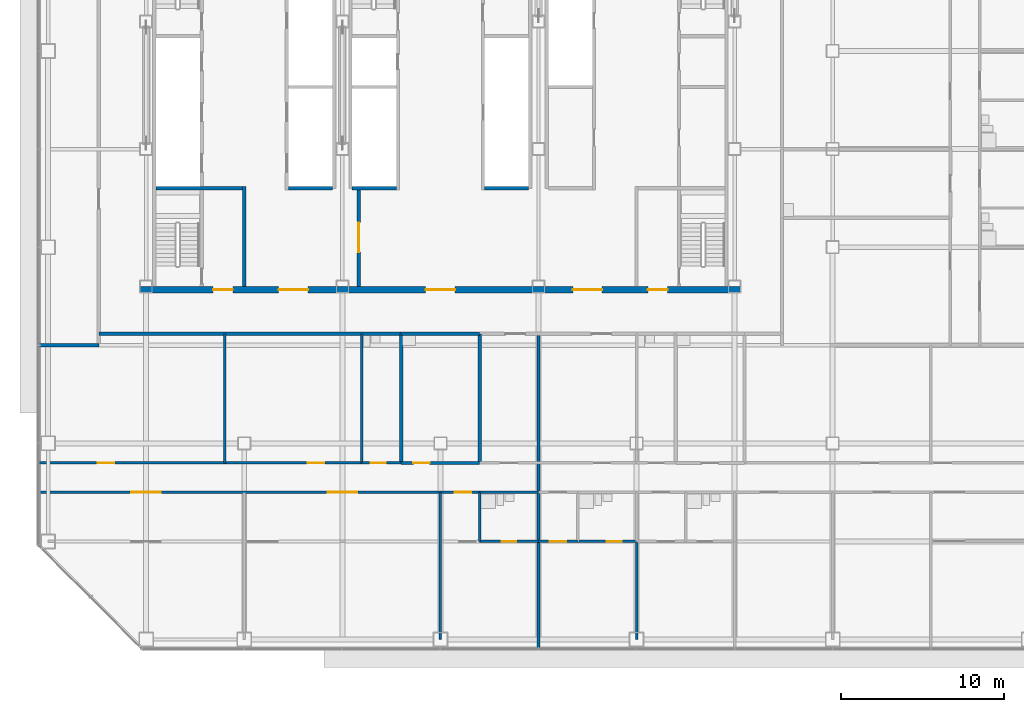
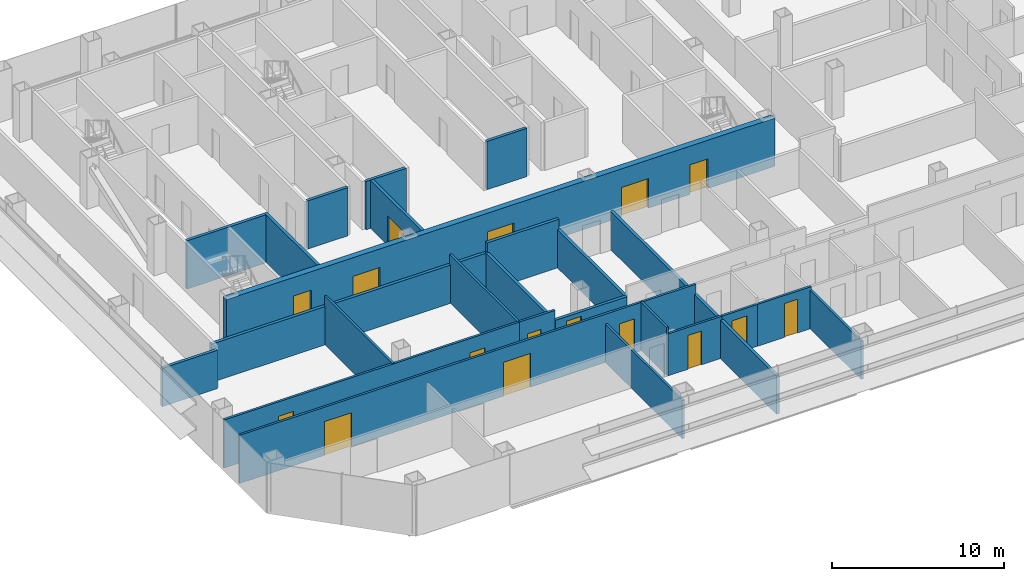
# One storey, part 20 of 26: 26 walls, 16 doors, 16 openings.
"""IFC4 building model written with IfcOpenShell, lengths in metres."""

import ifcopenshell
import ifcopenshell.guid

model = None  # the IFC model being written
_history = None  # IfcOwnerHistory: only IFC2X3 demands one
_inside = {}  # id of a spatial element -> (the spatial element, [elements in it])
_under = {}  # id of a project, library or spatial element -> (it, [spatial elements below it])
_declared = {}  # id of a project -> (the project, [libraries it declares])
_typed = {}  # id of a type object -> (the type object, [elements of that type])
_made_of = {}  # id of a material, layer set ... -> (it, [elements and type objects made of it])


def new_model(schema):
    """Start an empty IFC model of exactly this schema.

    Asked for "IFC4X3", IfcOpenShell would pick the latest addendum, in which some entities
    have other attributes; the version numbers below select the first issue.
    IFC2X3 requires an IfcOwnerHistory on every rooted entity: one is made here for all.
    """
    global model, _history
    if schema == "IFC4X3":
        model = ifcopenshell.file(schema_version=(4, 3, 0, 0))
    else:
        model = ifcopenshell.file(schema=schema)
    _inside.clear()
    _under.clear()
    _declared.clear()
    _typed.clear()
    _made_of.clear()
    _history = None
    if model.schema == "IFC2X3":
        org = make("IfcOrganization", Name="unknown")
        user = make(
            "IfcPersonAndOrganization",
            ThePerson=make("IfcPerson", FamilyName="unknown"),
            TheOrganization=org,
        )
        app = make(
            "IfcApplication",
            ApplicationDeveloper=org,
            Version="unknown",
            ApplicationFullName="unknown",
            ApplicationIdentifier="unknown",
        )
        _history = make(
            "IfcOwnerHistory",
            OwningUser=user,
            OwningApplication=app,
            ChangeAction="ADDED",
            CreationDate=0,
        )
    return model


def make(cls, **values):
    """One entity of the class cls with the attributes given. An attribute that is None is left unset."""
    return model.create_entity(
        cls, **{name: value for name, value in values.items() if value is not None}
    )


def rooted(cls, **values):
    """An entity with a GlobalId (a new one), such as an element, a storey or a relation."""
    return make(cls, GlobalId=ifcopenshell.guid.new(), OwnerHistory=_history, **values)


def si_unit(unit_type, name, prefix=None):
    """IfcSIUnit, for example si_unit("LENGTHUNIT", "METRE", prefix="MILLI")."""
    return make("IfcSIUnit", UnitType=unit_type, Prefix=prefix, Name=name)


def assignment(units):
    """IfcUnitAssignment: the units of a project."""
    return None if units is None else make("IfcUnitAssignment", Units=units)


def point(xyz):
    """IfcCartesianPoint."""
    return None if xyz is None else make("IfcCartesianPoint", Coordinates=xyz)


def direction(xyz):
    """IfcDirection."""
    return None if xyz is None else make("IfcDirection", DirectionRatios=xyz)


def frame(location, z_axis=None, x_axis=None):
    """IfcAxis2Placement3D, a coordinate frame: its origin and axes. An axis left out is left unset."""
    return make(
        "IfcAxis2Placement3D",
        Location=point(location),
        Axis=direction(z_axis),
        RefDirection=direction(x_axis),
    )


def frame_2d(location, x_axis=None):
    """IfcAxis2Placement2D, a coordinate frame in the plane: its origin and x axis."""
    return make(
        "IfcAxis2Placement2D", Location=point(location), RefDirection=direction(x_axis)
    )


def origin():
    """The frame at (0, 0, 0) with its axes left unset."""
    return frame((0.0, 0.0, 0.0))


def place(relative_to, where):
    """IfcLocalPlacement: puts the frame where relative to a parent placement (None: the world)."""
    return make(
        "IfcLocalPlacement", PlacementRelTo=relative_to, RelativePlacement=where
    )


def context(
    kind, dimensions, precision=None, world=None, true_north=None, identifier=None
):
    """IfcGeometricRepresentationContext, for example the 3D "Model" context."""
    return make(
        "IfcGeometricRepresentationContext",
        ContextIdentifier=identifier,
        ContextType=kind,
        CoordinateSpaceDimension=dimensions,
        Precision=precision,
        WorldCoordinateSystem=world,
        TrueNorth=true_north,
    )


def subcontext(parent, identifier, kind, view, scale=None):
    """IfcGeometricRepresentationSubContext, for example "Body" below "Model"."""
    return make(
        "IfcGeometricRepresentationSubContext",
        ContextIdentifier=identifier,
        ContextType=kind,
        ParentContext=parent,
        TargetScale=scale,
        TargetView=view,
    )


def project(units=None, contexts=None):
    """IfcProject with its units and contexts."""
    return rooted(
        "IfcProject",
        Name="project",
        RepresentationContexts=contexts,
        UnitsInContext=assignment(units),
    )


def spatial(cls, under=None, at=None, **own):
    """A site, building, storey or space (cls), placed at a placement, below another one or the project."""
    s = rooted(cls, ObjectPlacement=at, **own)
    if under is not None:
        _under.setdefault(under.id(), (under, []))[1].append(s)
    return s


def profile(cls, at=None, kind="AREA", **sizes):
    """A parametric profile (cls). Its sizes go by their IFC names, for example OverallWidth=200.0."""
    return make(cls, ProfileType=kind, Position=at, **sizes)


def rectangle(**sizes):
    """IfcRectangleProfileDef."""
    return profile("IfcRectangleProfileDef", **sizes)


def extrude(swept, where, along, depth):
    """IfcExtrudedAreaSolid: the profile swept, set in the frame where, extruded along a direction by depth."""
    return make(
        "IfcExtrudedAreaSolid",
        SweptArea=swept,
        Position=where,
        ExtrudedDirection=direction(along),
        Depth=depth,
    )


def shape(context_of_items, identifier, shape_type, items):
    """IfcShapeRepresentation: the items that make up one representation, for example the "Body"."""
    return make(
        "IfcShapeRepresentation",
        ContextOfItems=context_of_items,
        RepresentationIdentifier=identifier,
        RepresentationType=shape_type,
        Items=items,
    )


def material(Name=None, Category=None):
    """IfcMaterial."""
    return make("IfcMaterial", Name=Name, Category=Category)


def layer(
    of_material, thickness, ventilated=None, Name=None, Category=None, Priority=None
):
    """IfcMaterialLayer: one layer of a wall or slab, of a material (None: an air gap)."""
    return make(
        "IfcMaterialLayer",
        Material=of_material,
        LayerThickness=thickness,
        IsVentilated=ventilated,
        Name=Name,
        Category=Category,
        Priority=Priority,
    )


def layer_set(layers, Name=None):
    """IfcMaterialLayerSet."""
    return make("IfcMaterialLayerSet", MaterialLayers=layers, LayerSetName=Name)


def made_of(thing, what):
    """Note that an element or type object is made of a material, layer set ...; save() writes the relation."""
    if what is not None:
        _made_of.setdefault(what.id(), (what, []))[1].append(thing)
    return thing


def type_object(cls, material=None, **own):
    """A type object (cls), such as IfcWallType, which elements share."""
    return made_of(rooted(cls, **own), material)


def element(
    cls,
    number,
    at=None,
    inside=None,
    cuts=None,
    type_object=None,
    material=None,
    context=None,
    identifier="Body",
    shape_type=None,
    held_by="IfcProductDefinitionShape",
    body=None,
    shapes=None,
    **own,
):
    """One element of the class cls, such as IfcWall. Its Tag is "e" and its number.

    at: its placement. inside: the storey or other place that contains it. cuts: it is an
    opening in that element (IfcRelVoidsElement). A single representation is given by context,
    identifier, shape_type and body (its items); several are given by shapes. held_by: the class
    of the entity that holds the representations. save() writes the other relations.
    """
    e = rooted(cls, Tag="e%d" % number, ObjectPlacement=at, **own)
    if body is not None:
        shapes = [shape(context, identifier, shape_type, body)]
    if shapes is not None:
        e.Representation = make(held_by, Representations=shapes)
    if inside is not None:
        _inside.setdefault(inside.id(), (inside, []))[1].append(e)
    if cuts is not None:
        rooted(
            "IfcRelVoidsElement", RelatingBuildingElement=cuts, RelatedOpeningElement=e
        )
    if type_object is not None:
        _typed.setdefault(type_object.id(), (type_object, []))[1].append(e)
    return made_of(e, material)


def fill(opening, filler):
    """IfcRelFillsElement: the door or window that sits in an opening."""
    return rooted(
        "IfcRelFillsElement",
        RelatingOpeningElement=opening,
        RelatedBuildingElement=filler,
    )


def aggregate(whole, parts):
    """IfcRelAggregates: a whole, such as a stair, and the parts it consists of."""
    return rooted("IfcRelAggregates", RelatingObject=whole, RelatedObjects=parts)


def save(model, path):
    """Write the relations noted so far, then the file.

    IfcRelAggregates (storeys below a building ...), IfcRelContainedInSpatialStructure (elements
    in a storey), IfcRelDefinesByType, IfcRelAssociatesMaterial and IfcRelDeclares: one each for
    every whole, place, type object, material and project.
    """
    for whole, parts in _under.values():
        aggregate(whole, parts)
    for where, things in _inside.values():
        rooted(
            "IfcRelContainedInSpatialStructure",
            RelatedElements=things,
            RelatingStructure=where,
        )
    for kind, things in _typed.values():
        rooted("IfcRelDefinesByType", RelatedObjects=things, RelatingType=kind)
    for what, things in _made_of.values():
        rooted("IfcRelAssociatesMaterial", RelatedObjects=things, RelatingMaterial=what)
    for by, libraries in _declared.values():
        rooted("IfcRelDeclares", RelatingContext=by, RelatedDefinitions=libraries)
    model.write(path)


model = new_model("IFC4")

# Units and contexts
model_context = context("Model", 3, precision=1e-05, world=origin(), true_north=direction((0.0, 1.0)))
body_context = subcontext(model_context, "Body", "Model", "MODEL_VIEW")
ifc_project = project(units=[si_unit("LENGTHUNIT", "METRE"), si_unit("AREAUNIT", "SQUARE_METRE"), si_unit("VOLUMEUNIT", "CUBIC_METRE"), si_unit("PLANEANGLEUNIT", "RADIAN"), si_unit("MASSUNIT", "GRAM", prefix="KILO")], contexts=[model_context])

# Site, building, storey
site_placement = place(None, origin())
site = spatial("IfcSite", under=ifc_project, at=site_placement, CompositionType="ELEMENT")
building_placement = place(site_placement, origin())
building = spatial("IfcBuilding", under=site, at=building_placement, Name="Sorahane Residences", CompositionType="ELEMENT")
storey_placement = place(building_placement, frame((0.0, 0.0, 64.199951171875)))
storey = spatial("IfcBuildingStorey", under=building, at=storey_placement, Name="L12", CompositionType="ELEMENT", Elevation=64.199951171875)

# Walls
ifc_material_1 = material(Name="Concrete blockwork C20 wall", Category="masonry")
ifc_layer_1 = layer(ifc_material_1, 0.199951171875)
ifc_layer_set_1 = layer_set([ifc_layer_1], Name="Corridor wall 200 EI 120")
wall_type_1 = type_object("IfcWallType", Name="Corridor wall 200 EI 120", PredefinedType="SOLIDWALL", material=ifc_layer_set_1)
wall_1_placement = place(storey_placement, frame((-0.60009765625, 18.0, 0.0), z_axis=(0.0, 0.0, 1.0), x_axis=(1.0, 0.0, 0.0)))
element("IfcWall", 1, at=wall_1_placement, inside=storey, type_object=wall_type_1, Name="L12 corridor wall", PredefinedType="SOLIDWALL", context=body_context, shape_type="SweptSolid", body=[
    extrude(rectangle(XDim=3.7001953125, YDim=0.199951171875, at=frame_2d((1.85009765625, 0.0))), origin(), (0.0, 0.0, 1.0), 2.719970703125),
])
wall_2_placement = place(storey_placement, frame((3.10009765625, 18.699951171875, 0.0), z_axis=(0.0, 0.0, 1.0), x_axis=(1.0, 0.0, 0.0)))
element("IfcWall", 2, at=wall_2_placement, inside=storey, type_object=wall_type_1, Name="L12 corridor wall", PredefinedType="SOLIDWALL", context=body_context, shape_type="SweptSolid", body=[
    extrude(rectangle(XDim=18.5, YDim=0.199951171875, at=frame_2d((9.25, 0.0))), origin(), (0.0, 0.0, 1.0), 2.719970703125),
])
ifc_material_2 = material(Name="Concrete C30", Category="concrete")
ifc_layer_2 = layer(ifc_material_2, 0.199951171875)
ifc_layer_set_2 = layer_set([ifc_layer_2], Name="Front room wall 200 EI 120")
wall_type_2 = type_object("IfcWallType", Name="Front room wall 200 EI 120", PredefinedType="PARTITIONING", material=ifc_layer_set_2)
wall_3_placement = place(storey_placement, frame((12.0, 21.60009765625, 0.0), z_axis=(0.0, 0.0, 1.0), x_axis=(0.0, 1.0, 0.0)))
element("IfcWall", 3, at=wall_3_placement, inside=storey, type_object=wall_type_2, Name="L12 front room wall", PredefinedType="PARTITIONING", context=body_context, shape_type="SweptSolid", body=[
    extrude(rectangle(XDim=6.099853515625, YDim=0.199951171875, at=frame_2d((3.0498046875, 0.0))), origin(), (0.0, 0.0, 1.0), 3.420166015625),
])
ifc_material_3 = material(Name="Concrete blockwork C20 wall", Category="masonry")
ifc_layer_3 = layer(ifc_material_3, 0.199951171875)
ifc_layer_set_3 = layer_set([ifc_layer_3], Name="Kitchen wall 200 EI 180")
wall_type_3 = type_object("IfcWallType", Name="Kitchen wall 200 EI 180", PredefinedType="SOLIDWALL", material=ifc_layer_set_3)
for number, where, z_axis, x_axis, name in (
    (4, (21.60009765625, 10.800048828125, 0.0), (0.0, 0.0, 1.0), (0.0, 1.0, 0.0), "L12 kitchen wall"),
    (5, (26.39990234375, 10.800048828125, 0.0), (0.0, 0.0, 1.0), (0.0, 1.0, 0.0), "L12 kitchen wall"),
):
    element("IfcWall", number, at=place(storey_placement, frame(where, z_axis=z_axis, x_axis=x_axis)), inside=storey, type_object=wall_type_3, Name=name, PredefinedType="SOLIDWALL", context=body_context, shape_type="SweptSolid", body=[
        extrude(rectangle(XDim=7.89990234375, YDim=0.199951171875, at=frame_2d((3.949951171875, 0.0))), origin(), (0.0, 0.0, 1.0), 2.719970703125),
    ])

# Wall, opening, door
wall_4_placement = place(storey_placement, frame((21.60009765625, 10.800048828125, 0.0), z_axis=(0.0, 0.0, 1.0), x_axis=(1.0, 0.0, 0.0)))
wall_4 = element("IfcWall", 6, at=wall_4_placement, inside=storey, type_object=wall_type_3, Name="L12 kitchen wall", PredefinedType="SOLIDWALL", context=body_context, shape_type="SweptSolid", body=[
    extrude(rectangle(XDim=4.7998046875, YDim=0.199951171875, at=frame_2d((2.39990234375, 0.0))), origin(), (0.0, 0.0, 1.0), 2.719970703125),
])
opening_1_placement = place(wall_4_placement, frame((0.739990234375, 0.0, 0.0)))
opening_1 = element("IfcOpeningElement", 7, at=opening_1_placement, cuts=wall_4, Name="Opening L12-05", PredefinedType="OPENING", context=body_context, shape_type="SweptSolid", body=[
    extrude(rectangle(XDim=1.0, YDim=2.39990234375, at=frame_2d((0.5, 1.199951171875))), frame((0.0, 0.10986328125, 0.0), z_axis=(0.0, -1.0, 0.0), x_axis=(1.0, 0.0, 0.0)), (0.0, 0.0, 1.0), 0.219970703125),
])
ifc_material_4 = material(Name="Steel", Category="steel")
door_type_1 = type_object("IfcDoorType", Name="Kitchen door 1000x2400 FD120", OperationType="NOTDEFINED", PredefinedType="DOOR", material=ifc_material_4)
door_1_placement = place(opening_1_placement, origin())
door_1 = element("IfcDoor", 8, at=door_1_placement, inside=storey, type_object=door_type_1, Name="Kitchen door L12-05", OperationType="SINGLE_SWING_LEFT", OverallHeight=2.39990234375, OverallWidth=1.0, PredefinedType="DOOR", context=body_context, shape_type="SweptSolid", body=[
    extrude(rectangle(XDim=1.0, YDim=2.39990234375, at=frame_2d((0.5, 1.199951171875))), frame((0.0, 0.02490234375, 0.0), z_axis=(0.0, -1.0, 0.0), x_axis=(1.0, 0.0, 0.0)), (0.0, 0.0, 1.0), 0.050048828125),
])
fill(opening_1, door_1)

# Walls
wall_5_placement = place(storey_placement, frame((21.60009765625, 18.699951171875, 0.0), z_axis=(0.0, 0.0, 1.0), x_axis=(1.0, 0.0, 0.0)))
element("IfcWall", 9, at=wall_5_placement, inside=storey, type_object=wall_type_3, Name="L12 kitchen wall", PredefinedType="SOLIDWALL", context=body_context, shape_type="SweptSolid", body=[
    extrude(rectangle(XDim=4.7998046875, YDim=0.199951171875, at=frame_2d((2.39990234375, 0.0))), origin(), (0.0, 0.0, 1.0), 3.420166015625),
])
ifc_material_5 = material(Name="Concrete C30", Category="concrete")
ifc_layer_4 = layer(ifc_material_5, 0.199951171875)
ifc_layer_set_4 = layer_set([ifc_layer_4], Name="Lift shaft wall 200 EI 120")
wall_type_4 = type_object("IfcWallType", Name="Lift shaft wall 200 EI 120", PredefinedType="SOLIDWALL", material=ifc_layer_set_4)
for number, where, z_axis, x_axis, name in (
    (10, (14.699951171875, 27.60009765625, 0.0), (0.0, 0.0, 1.0), (1.0, 0.0, 0.0), "L12 lift shaft wall"),
    (11, (18.60009765625, 27.60009765625, 0.0), (0.0, 0.0, 1.0), (1.0, 0.0, 0.0), "L12 lift shaft wall"),
):
    element("IfcWall", number, at=place(storey_placement, frame(where, z_axis=z_axis, x_axis=x_axis)), inside=storey, type_object=wall_type_4, Name=name, PredefinedType="SOLIDWALL", context=body_context, shape_type="SweptSolid", body=[
        extrude(rectangle(XDim=2.699951171875, YDim=0.199951171875, at=frame_2d((1.35009765625, 0.0))), origin(), (0.0, 0.0, 1.0), 3.420166015625),
    ])
ifc_material_6 = material(Name="Gypsum board partition on steel studs", Category="steel")
ifc_layer_5 = layer(ifc_material_6, 0.14990234375)
ifc_layer_set_5 = layer_set([ifc_layer_5], Name="Partition 150 EI 90")
wall_type_5 = type_object("IfcWallType", Name="Partition 150 EI 90", PredefinedType="PARTITIONING", material=ifc_layer_set_5)
wall_6_placement = place(storey_placement, frame((10.800048828125, 10.800048828125, 0.0), z_axis=(0.0, 0.0, 1.0), x_axis=(0.0, 1.0, 0.0)))
element("IfcWall", 12, at=wall_6_placement, inside=storey, type_object=wall_type_5, Name="L12 partition", PredefinedType="PARTITIONING", context=body_context, shape_type="SweptSolid", body=[
    extrude(rectangle(XDim=7.89990234375, YDim=0.14990234375, at=frame_2d((3.949951171875, 0.0))), origin(), (0.0, 0.0, 1.0), 3.420166015625),
])
wall_7_placement = place(storey_placement, frame((24.0, 0.0, 0.0), z_axis=(0.0, 0.0, 1.0), x_axis=(0.0, 1.0, 0.0)))
element("IfcWall", 13, at=wall_7_placement, inside=storey, type_object=wall_type_5, Name="L12 partition", PredefinedType="PARTITIONING", context=body_context, shape_type="SweptSolid", body=[
    extrude(rectangle(XDim=9.0, YDim=0.14990234375, at=frame_2d((4.5, 0.0))), origin(), (0.0, 0.0, 1.0), 2.719970703125),
])
wall_8_placement = place(storey_placement, frame((36.0, 0.0, 0.0), z_axis=(0.0, 0.0, 1.0), x_axis=(0.0, 1.0, 0.0)))
element("IfcWall", 14, at=wall_8_placement, inside=storey, type_object=wall_type_5, Name="L12 partition", PredefinedType="PARTITIONING", context=body_context, shape_type="SweptSolid", body=[
    extrude(rectangle(XDim=6.0, YDim=0.14990234375, at=frame_2d((3.0, 0.0))), origin(), (0.0, 0.0, 1.0), 2.719970703125),
])

# Wall, openings, doors
wall_9_placement = place(storey_placement, frame((-0.60009765625, 10.800048828125, 0.0), z_axis=(0.0, 0.0, 1.0), x_axis=(1.0, 0.0, 0.0)))
wall_9 = element("IfcWall", 15, at=wall_9_placement, inside=storey, type_object=wall_type_5, Name="L12 partition", PredefinedType="PARTITIONING", context=body_context, shape_type="SweptSolid", body=[
    extrude(rectangle(XDim=19.800048828125, YDim=0.14990234375, at=frame_2d((9.89990234375, 0.0))), origin(), (0.0, 0.0, 1.0), 3.420166015625),
])
opening_2_placement = place(wall_9_placement, frame((3.639892578125, 0.0, 0.0)))
opening_2 = element("IfcOpeningElement", 16, at=opening_2_placement, cuts=wall_9, Name="Opening L12-02", PredefinedType="OPENING", context=body_context, shape_type="SweptSolid", body=[
    extrude(rectangle(XDim=1.0, YDim=2.39990234375, at=frame_2d((0.5, 1.199951171875))), frame((0.0, 0.0849609375, 0.0), z_axis=(0.0, -1.0, 0.0), x_axis=(1.0, 0.0, 0.0)), (0.0, 0.0, 1.0), 0.169921875),
])
opening_3_placement = place(wall_9_placement, frame((16.47998046875, 0.0, 0.0)))
opening_3 = element("IfcOpeningElement", 17, at=opening_3_placement, cuts=wall_9, Name="Opening L12-03", PredefinedType="OPENING", context=body_context, shape_type="SweptSolid", body=[
    extrude(rectangle(XDim=1.0, YDim=2.39990234375, at=frame_2d((0.5, 1.199951171875))), frame((0.0, 0.0849609375, 0.0), z_axis=(0.0, -1.0, 0.0), x_axis=(1.0, 0.0, 0.0)), (0.0, 0.0, 1.0), 0.169921875),
])
ifc_material_7 = material(Name="Timber veneered fire door", Category="wood")
door_type_2 = type_object("IfcDoorType", Name="Room door 1000x2400 FD30", OperationType="NOTDEFINED", PredefinedType="DOOR", material=ifc_material_7)
door_2_placement = place(opening_2_placement, origin())
door_2 = element("IfcDoor", 18, at=door_2_placement, inside=storey, type_object=door_type_2, Name="Room door L12-02", OperationType="SINGLE_SWING_LEFT", OverallHeight=2.39990234375, OverallWidth=1.0, PredefinedType="DOOR", context=body_context, shape_type="SweptSolid", body=[
    extrude(rectangle(XDim=1.0, YDim=2.39990234375, at=frame_2d((0.5, 1.199951171875))), frame((0.0, 0.02490234375, 0.0), z_axis=(0.0, -1.0, 0.0), x_axis=(1.0, 0.0, 0.0)), (0.0, 0.0, 1.0), 0.050048828125),
])
fill(opening_2, door_2)
door_3_placement = place(opening_3_placement, origin())
door_3 = element("IfcDoor", 19, at=door_3_placement, inside=storey, type_object=door_type_2, Name="Room door L12-03", OperationType="SINGLE_SWING_RIGHT", OverallHeight=2.39990234375, OverallWidth=1.0, PredefinedType="DOOR", context=body_context, shape_type="SweptSolid", body=[
    extrude(rectangle(XDim=1.0, YDim=2.39990234375, at=frame_2d((0.5, 1.199951171875))), frame((0.0, 0.02490234375, 0.0), z_axis=(0.0, -1.0, 0.0), x_axis=(1.0, 0.0, 0.0)), (0.0, 0.0, 1.0), 0.050048828125),
])
fill(opening_3, door_3)

# Wall, opening, door
wall_10_placement = place(storey_placement, frame((30.0, 6.0, 0.0), z_axis=(0.0, 0.0, 1.0), x_axis=(1.0, 0.0, 0.0)))
wall_10 = element("IfcWall", 20, at=wall_10_placement, inside=storey, type_object=wall_type_5, Name="L12 partition", PredefinedType="PARTITIONING", context=body_context, shape_type="SweptSolid", body=[
    extrude(rectangle(XDim=2.39990234375, YDim=0.14990234375, at=frame_2d((1.199951171875, 0.0))), origin(), (0.0, 0.0, 1.0), 2.969970703125),
])
opening_4_placement = place(wall_10_placement, frame((0.699951171875, 0.0, 0.0)))
opening_4 = element("IfcOpeningElement", 21, at=opening_4_placement, cuts=wall_10, Name="Opening L12-23", PredefinedType="OPENING", context=body_context, shape_type="SweptSolid", body=[
    extrude(rectangle(XDim=1.0, YDim=2.39990234375, at=frame_2d((0.5, 1.199951171875))), frame((0.0, 0.0849609375, 0.0), z_axis=(0.0, -1.0, 0.0), x_axis=(1.0, 0.0, 0.0)), (0.0, 0.0, 1.0), 0.169921875),
])
door_4_placement = place(opening_4_placement, frame((1.0, 0.0, 0.0), z_axis=(0.0, 0.0, 1.0), x_axis=(-1.0, 0.0, 0.0)))
door_4 = element("IfcDoor", 22, at=door_4_placement, inside=storey, type_object=door_type_2, Name="Room door L12-23", OperationType="SINGLE_SWING_RIGHT", OverallHeight=2.39990234375, OverallWidth=1.0, PredefinedType="DOOR", context=body_context, shape_type="SweptSolid", body=[
    extrude(rectangle(XDim=1.0, YDim=2.39990234375, at=frame_2d((0.5, 1.199951171875))), frame((0.0, 0.02490234375, 0.0), z_axis=(0.0, -1.0, 0.0), x_axis=(1.0, 0.0, 0.0)), (0.0, 0.0, 1.0), 0.050048828125),
])
fill(opening_4, door_4)

# Wall, openings, doors
wall_11_placement = place(storey_placement, frame((-0.60009765625, 9.0, 0.0), z_axis=(0.0, 0.0, 1.0), x_axis=(1.0, 0.0, 0.0)))
wall_11 = element("IfcWall", 23, at=wall_11_placement, inside=storey, type_object=wall_type_5, Name="L12 partition", PredefinedType="PARTITIONING", context=body_context, shape_type="SweptSolid", body=[
    extrude(rectangle(XDim=27.0, YDim=0.14990234375, at=frame_2d((13.5, 0.0))), origin(), (0.0, 0.0, 1.0), 3.420166015625),
])
opening_5_placement = place(wall_11_placement, frame((5.699951171875, 0.0, 0.0)))
opening_5 = element("IfcOpeningElement", 24, at=opening_5_placement, cuts=wall_11, Name="Opening L12-06", PredefinedType="OPENING", context=body_context, shape_type="SweptSolid", body=[
    extrude(rectangle(XDim=1.800048828125, YDim=2.39990234375, at=frame_2d((0.89990234375, 1.199951171875))), frame((0.0, 0.0849609375, 0.0), z_axis=(0.0, -1.0, 0.0), x_axis=(1.0, 0.0, 0.0)), (0.0, 0.0, 1.0), 0.169921875),
])
opening_6_placement = place(wall_11_placement, frame((17.699951171875, 0.0, 0.0)))
opening_6 = element("IfcOpeningElement", 25, at=opening_6_placement, cuts=wall_11, Name="Opening L12-07", PredefinedType="OPENING", context=body_context, shape_type="SweptSolid", body=[
    extrude(rectangle(XDim=1.800048828125, YDim=2.39990234375, at=frame_2d((0.89990234375, 1.199951171875))), frame((0.0, 0.0849609375, 0.0), z_axis=(0.0, -1.0, 0.0), x_axis=(1.0, 0.0, 0.0)), (0.0, 0.0, 1.0), 0.169921875),
])
opening_7_placement = place(wall_11_placement, frame((25.47998046875, 0.0, 0.0)))
opening_7 = element("IfcOpeningElement", 26, at=opening_7_placement, cuts=wall_11, Name="Opening L12-08", PredefinedType="OPENING", context=body_context, shape_type="SweptSolid", body=[
    extrude(rectangle(XDim=1.0, YDim=2.39990234375, at=frame_2d((0.5, 1.199951171875))), frame((0.0, 0.0849609375, 0.0), z_axis=(0.0, -1.0, 0.0), x_axis=(1.0, 0.0, 0.0)), (0.0, 0.0, 1.0), 0.169921875),
])
ifc_material_8 = material(Name="Timber veneered fire door", Category="wood")
door_type_3 = type_object("IfcDoorType", Name="Double door 1800x2400 FD30", OperationType="NOTDEFINED", PredefinedType="DOOR", material=ifc_material_8)
door_5_placement = place(opening_5_placement, frame((1.800048828125, 0.0, 0.0), z_axis=(0.0, 0.0, 1.0), x_axis=(-1.0, 0.0, 0.0)))
door_5 = element("IfcDoor", 27, at=door_5_placement, inside=storey, type_object=door_type_3, Name="Double door L12-06", OperationType="SINGLE_SWING_LEFT", OverallHeight=2.39990234375, OverallWidth=1.800048828125, PredefinedType="DOOR", context=body_context, shape_type="SweptSolid", body=[
    extrude(rectangle(XDim=1.800048828125, YDim=2.39990234375, at=frame_2d((0.89990234375, 1.199951171875))), frame((0.0, 0.02490234375, 0.0), z_axis=(0.0, -1.0, 0.0), x_axis=(1.0, 0.0, 0.0)), (0.0, 0.0, 1.0), 0.050048828125),
])
fill(opening_5, door_5)
door_6_placement = place(opening_6_placement, frame((1.800048828125, 0.0, 0.0), z_axis=(0.0, 0.0, 1.0), x_axis=(-1.0, 0.0, 0.0)))
door_6 = element("IfcDoor", 28, at=door_6_placement, inside=storey, type_object=door_type_3, Name="Double door L12-07", OperationType="SINGLE_SWING_LEFT", OverallHeight=2.39990234375, OverallWidth=1.800048828125, PredefinedType="DOOR", context=body_context, shape_type="SweptSolid", body=[
    extrude(rectangle(XDim=1.800048828125, YDim=2.39990234375, at=frame_2d((0.89990234375, 1.199951171875))), frame((0.0, 0.02490234375, 0.0), z_axis=(0.0, -1.0, 0.0), x_axis=(1.0, 0.0, 0.0)), (0.0, 0.0, 1.0), 0.050048828125),
])
fill(opening_6, door_6)
door_7_placement = place(opening_7_placement, frame((1.0, 0.0, 0.0), z_axis=(0.0, 0.0, 1.0), x_axis=(-1.0, 0.0, 0.0)))
door_7 = element("IfcDoor", 29, at=door_7_placement, inside=storey, type_object=door_type_2, Name="Room door L12-08", OperationType="SINGLE_SWING_LEFT", OverallHeight=2.39990234375, OverallWidth=1.0, PredefinedType="DOOR", context=body_context, shape_type="SweptSolid", body=[
    extrude(rectangle(XDim=1.0, YDim=2.39990234375, at=frame_2d((0.5, 1.199951171875))), frame((0.0, 0.02490234375, 0.0), z_axis=(0.0, -1.0, 0.0), x_axis=(1.0, 0.0, 0.0)), (0.0, 0.0, 1.0), 0.050048828125),
])
fill(opening_7, door_7)

# Walls
ifc_material_9 = material(Name="Concrete blockwork C20 wall", Category="masonry")
ifc_layer_6 = layer(ifc_material_9, 0.199951171875)
ifc_layer_set_6 = layer_set([ifc_layer_6], Name="Party wall 200 EI 120")
wall_type_6 = type_object("IfcWallType", Name="Party wall 200 EI 120", PredefinedType="SOLIDWALL", material=ifc_layer_set_6)
wall_12_placement = place(storey_placement, frame((30.0, -0.60009765625, 0.0), z_axis=(0.0, 0.0, 1.0), x_axis=(0.0, 1.0, 0.0)))
element("IfcWall", 30, at=wall_12_placement, inside=storey, type_object=wall_type_6, Name="L12 party wall", PredefinedType="SOLIDWALL", context=body_context, shape_type="SweptSolid", body=[
    extrude(rectangle(XDim=19.300048828125, YDim=0.199951171875, at=frame_2d((9.64990234375, 0.0))), origin(), (0.0, 0.0, 1.0), 2.719970703125),
])
ifc_material_10 = material(Name="Concrete C30", Category="concrete")
ifc_layer_7 = layer(ifc_material_10, 0.199951171875)
ifc_layer_set_7 = layer_set([ifc_layer_7], Name="Riser shaft wall 200 EI 120")
wall_type_7 = type_object("IfcWallType", Name="Riser shaft wall 200 EI 120", PredefinedType="SOLIDWALL", material=ifc_layer_set_7)
wall_13_placement = place(storey_placement, frame((26.699951171875, 27.60009765625, 0.0), z_axis=(0.0, 0.0, 1.0), x_axis=(1.0, 0.0, 0.0)))
element("IfcWall", 31, at=wall_13_placement, inside=storey, type_object=wall_type_7, Name="L12 riser wall", PredefinedType="SOLIDWALL", context=body_context, shape_type="SweptSolid", body=[
    extrude(rectangle(XDim=2.699951171875, YDim=0.199951171875, at=frame_2d((1.35009765625, 0.0))), origin(), (0.0, 0.0, 1.0), 3.420166015625),
])

# Wall, opening, door
ifc_material_11 = material(Name="Concrete C30", Category="concrete")
ifc_layer_8 = layer(ifc_material_11, 0.199951171875)
ifc_layer_set_8 = layer_set([ifc_layer_8], Name="Service room partition 200 EI 60")
wall_type_8 = type_object("IfcWallType", Name="Service room partition 200 EI 60", PredefinedType="PARTITIONING", material=ifc_layer_set_8)
wall_14_placement = place(storey_placement, frame((19.0, 21.60009765625, 0.0), z_axis=(0.0, 0.0, 1.0), x_axis=(0.0, 1.0, 0.0)))
wall_14 = element("IfcWall", 32, at=wall_14_placement, inside=storey, type_object=wall_type_8, Name="L12 service room wall", PredefinedType="PARTITIONING", context=body_context, shape_type="SweptSolid", body=[
    extrude(rectangle(XDim=6.0, YDim=0.199951171875, at=frame_2d((3.0, 0.0))), origin(), (0.0, 0.0, 1.0), 3.420166015625),
])
opening_8_placement = place(wall_14_placement, frame((2.10009765625, 0.0, 0.0)))
opening_8 = element("IfcOpeningElement", 33, at=opening_8_placement, cuts=wall_14, Name="Opening L12-C02", PredefinedType="OPENING", context=body_context, shape_type="SweptSolid", body=[
    extrude(rectangle(XDim=1.800048828125, YDim=2.10009765625, at=frame_2d((0.89990234375, 1.050048828125))), frame((0.0, 0.10986328125, 0.0), z_axis=(0.0, -1.0, 0.0), x_axis=(1.0, 0.0, 0.0)), (0.0, 0.0, 1.0), 0.219970703125),
])
ifc_material_12 = material(Name="Steel", Category="steel")
door_type_4 = type_object("IfcDoorType", Name="Waiting hall door 1800x2100 FD60", OperationType="NOTDEFINED", PredefinedType="DOOR", material=ifc_material_12)
door_8_placement = place(opening_8_placement, origin())
door_8 = element("IfcDoor", 34, at=door_8_placement, inside=storey, type_object=door_type_4, Name="Waiting hall door Residents' waiting hall west L12", OperationType="SINGLE_SWING_LEFT", OverallHeight=2.10009765625, OverallWidth=1.800048828125, PredefinedType="DOOR", context=body_context, shape_type="SweptSolid", body=[
    extrude(rectangle(XDim=1.800048828125, YDim=2.10009765625, at=frame_2d((0.89990234375, 1.050048828125))), frame((0.0, 0.02490234375, 0.0), z_axis=(0.0, -1.0, 0.0), x_axis=(1.0, 0.0, 0.0)), (0.0, 0.0, 1.0), 0.050048828125),
])
fill(opening_8, door_8)

# Wall
ifc_material_13 = material(Name="Concrete C30", Category="concrete")
ifc_layer_9 = layer(ifc_material_13, 0.199951171875)
ifc_layer_set_9 = layer_set([ifc_layer_9], Name="Stair enclosure wall 200 EI 120")
wall_type_9 = type_object("IfcWallType", Name="Stair enclosure wall 200 EI 120", PredefinedType="SOLIDWALL", material=ifc_layer_set_9)
wall_15_placement = place(storey_placement, frame((6.60009765625, 27.60009765625, 0.0), z_axis=(0.0, 0.0, 1.0), x_axis=(1.0, 0.0, 0.0)))
element("IfcWall", 35, at=wall_15_placement, inside=storey, type_object=wall_type_9, Name="L12 stair enclosure wall", PredefinedType="SOLIDWALL", context=body_context, shape_type="SweptSolid", body=[
    extrude(rectangle(XDim=5.2998046875, YDim=0.199951171875, at=frame_2d((2.64990234375, 0.0))), origin(), (0.0, 0.0, 1.0), 3.420166015625),
])

# Wall, openings, doors
ifc_material_14 = material(Name="Concrete C30", Category="concrete")
ifc_layer_10 = layer(ifc_material_14, 0.39990234375)
ifc_layer_set_10 = layer_set([ifc_layer_10], Name="Waiting hall wall 400 EI 120")
wall_type_10 = type_object("IfcWallType", Name="Waiting hall wall 400 EI 120", PredefinedType="SOLIDWALL", material=ifc_layer_set_10)
wall_16_placement = place(storey_placement, frame((5.60009765625, 21.39990234375, 0.0), z_axis=(0.0, 0.0, 1.0), x_axis=(1.0, 0.0, 0.0)))
wall_16 = element("IfcWall", 36, at=wall_16_placement, inside=storey, type_object=wall_type_10, Name="L12 waiting hall wall", PredefinedType="SOLIDWALL", context=body_context, shape_type="SweptSolid", body=[
    extrude(rectangle(XDim=36.7998046875, YDim=0.39990234375, at=frame_2d((18.39990234375, 0.0))), origin(), (0.0, 0.0, 1.0), 3.420166015625),
])
opening_9_placement = place(wall_16_placement, frame((8.5, 0.0, 0.0)))
opening_9 = element("IfcOpeningElement", 37, at=opening_9_placement, cuts=wall_16, Name="Opening L12-C01", PredefinedType="OPENING", context=body_context, shape_type="SweptSolid", body=[
    extrude(rectangle(XDim=1.800048828125, YDim=2.10009765625, at=frame_2d((0.89990234375, 1.050048828125))), frame((0.0, 0.2099609375, 0.0), z_axis=(0.0, -1.0, 0.0), x_axis=(1.0, 0.0, 0.0)), (0.0, 0.0, 1.0), 0.419921875),
])
opening_10_placement = place(wall_16_placement, frame((17.5, 0.0, 0.0)))
opening_10 = element("IfcOpeningElement", 38, at=opening_10_placement, cuts=wall_16, Name="Opening L12-C03", PredefinedType="OPENING", context=body_context, shape_type="SweptSolid", body=[
    extrude(rectangle(XDim=1.800048828125, YDim=2.10009765625, at=frame_2d((0.89990234375, 1.050048828125))), frame((0.0, 0.2099609375, 0.0), z_axis=(0.0, -1.0, 0.0), x_axis=(1.0, 0.0, 0.0)), (0.0, 0.0, 1.0), 0.419921875),
])
opening_11_placement = place(wall_16_placement, frame((26.5, 0.0, 0.0)))
opening_11 = element("IfcOpeningElement", 39, at=opening_11_placement, cuts=wall_16, Name="Opening L12-C04", PredefinedType="OPENING", context=body_context, shape_type="SweptSolid", body=[
    extrude(rectangle(XDim=1.800048828125, YDim=2.10009765625, at=frame_2d((0.89990234375, 1.050048828125))), frame((0.0, 0.2099609375, 0.0), z_axis=(0.0, -1.0, 0.0), x_axis=(1.0, 0.0, 0.0)), (0.0, 0.0, 1.0), 0.419921875),
])
opening_12_placement = place(wall_16_placement, frame((4.5, 0.0, 0.0)))
opening_12 = element("IfcOpeningElement", 40, at=opening_12_placement, cuts=wall_16, Name="Opening L12-C05", PredefinedType="OPENING", context=body_context, shape_type="SweptSolid", body=[
    extrude(rectangle(XDim=1.199951171875, YDim=2.10009765625, at=frame_2d((0.60009765625, 1.050048828125))), frame((0.0, 0.2099609375, 0.0), z_axis=(0.0, -1.0, 0.0), x_axis=(1.0, 0.0, 0.0)), (0.0, 0.0, 1.0), 0.419921875),
])
opening_13_placement = place(wall_16_placement, frame((31.10009765625, 0.0, 0.0)))
opening_13 = element("IfcOpeningElement", 41, at=opening_13_placement, cuts=wall_16, Name="Opening L12-C06", PredefinedType="OPENING", context=body_context, shape_type="SweptSolid", body=[
    extrude(rectangle(XDim=1.199951171875, YDim=2.10009765625, at=frame_2d((0.60009765625, 1.050048828125))), frame((0.0, 0.2099609375, 0.0), z_axis=(0.0, -1.0, 0.0), x_axis=(1.0, 0.0, 0.0)), (0.0, 0.0, 1.0), 0.419921875),
])
ifc_material_15 = material(Name="Steel", Category="steel")
door_type_5 = type_object("IfcDoorType", Name="Stair front room door 1200x2100 FD120", OperationType="NOTDEFINED", PredefinedType="DOOR", material=ifc_material_15)
door_9_placement = place(opening_12_placement, frame((1.199951171875, 0.0, 0.0), z_axis=(0.0, 0.0, 1.0), x_axis=(-1.0, 0.0, 0.0)))
door_9 = element("IfcDoor", 42, at=door_9_placement, inside=storey, type_object=door_type_5, Name="Stair front room door Stair S4 front room L12", OperationType="SINGLE_SWING_LEFT", OverallHeight=2.10009765625, OverallWidth=1.199951171875, PredefinedType="DOOR", context=body_context, shape_type="SweptSolid", body=[
    extrude(rectangle(XDim=1.199951171875, YDim=2.10009765625, at=frame_2d((0.60009765625, 1.050048828125))), frame((0.0, 0.02490234375, 0.0), z_axis=(0.0, -1.0, 0.0), x_axis=(1.0, 0.0, 0.0)), (0.0, 0.0, 1.0), 0.050048828125),
])
fill(opening_12, door_9)
door_10_placement = place(opening_13_placement, frame((1.199951171875, 0.0, 0.0), z_axis=(0.0, 0.0, 1.0), x_axis=(-1.0, 0.0, 0.0)))
door_10 = element("IfcDoor", 43, at=door_10_placement, inside=storey, type_object=door_type_5, Name="Stair front room door Stair S5 front room L12", OperationType="SINGLE_SWING_LEFT", OverallHeight=2.10009765625, OverallWidth=1.199951171875, PredefinedType="DOOR", context=body_context, shape_type="SweptSolid", body=[
    extrude(rectangle(XDim=1.199951171875, YDim=2.10009765625, at=frame_2d((0.60009765625, 1.050048828125))), frame((0.0, 0.02490234375, 0.0), z_axis=(0.0, -1.0, 0.0), x_axis=(1.0, 0.0, 0.0)), (0.0, 0.0, 1.0), 0.050048828125),
])
fill(opening_13, door_10)
door_11_placement = place(opening_9_placement, frame((1.800048828125, 0.0, 0.0), z_axis=(0.0, 0.0, 1.0), x_axis=(-1.0, 0.0, 0.0)))
door_11 = element("IfcDoor", 44, at=door_11_placement, inside=storey, type_object=door_type_4, Name="Waiting hall door Residents' waiting hall west L12", OperationType="SINGLE_SWING_LEFT", OverallHeight=2.10009765625, OverallWidth=1.800048828125, PredefinedType="DOOR", context=body_context, shape_type="SweptSolid", body=[
    extrude(rectangle(XDim=1.800048828125, YDim=2.10009765625, at=frame_2d((0.89990234375, 1.050048828125))), frame((0.0, 0.02490234375, 0.0), z_axis=(0.0, -1.0, 0.0), x_axis=(1.0, 0.0, 0.0)), (0.0, 0.0, 1.0), 0.050048828125),
])
fill(opening_9, door_11)
door_12_placement = place(opening_10_placement, frame((1.800048828125, 0.0, 0.0), z_axis=(0.0, 0.0, 1.0), x_axis=(-1.0, 0.0, 0.0)))
door_12 = element("IfcDoor", 45, at=door_12_placement, inside=storey, type_object=door_type_4, Name="Waiting hall door Residents' waiting hall east L12", OperationType="SINGLE_SWING_LEFT", OverallHeight=2.10009765625, OverallWidth=1.800048828125, PredefinedType="DOOR", context=body_context, shape_type="SweptSolid", body=[
    extrude(rectangle(XDim=1.800048828125, YDim=2.10009765625, at=frame_2d((0.89990234375, 1.050048828125))), frame((0.0, 0.02490234375, 0.0), z_axis=(0.0, -1.0, 0.0), x_axis=(1.0, 0.0, 0.0)), (0.0, 0.0, 1.0), 0.050048828125),
])
fill(opening_10, door_12)
door_13_placement = place(opening_11_placement, frame((1.800048828125, 0.0, 0.0), z_axis=(0.0, 0.0, 1.0), x_axis=(-1.0, 0.0, 0.0)))
door_13 = element("IfcDoor", 46, at=door_13_placement, inside=storey, type_object=door_type_4, Name="Waiting hall door Residents' waiting hall east L12", OperationType="SINGLE_SWING_LEFT", OverallHeight=2.10009765625, OverallWidth=1.800048828125, PredefinedType="DOOR", context=body_context, shape_type="SweptSolid", body=[
    extrude(rectangle(XDim=1.800048828125, YDim=2.10009765625, at=frame_2d((0.89990234375, 1.050048828125))), frame((0.0, 0.02490234375, 0.0), z_axis=(0.0, -1.0, 0.0), x_axis=(1.0, 0.0, 0.0)), (0.0, 0.0, 1.0), 0.050048828125),
])
fill(opening_11, door_13)

# Walls
ifc_material_16 = material(Name="Gypsum board partition on steel studs", Category="steel")
ifc_layer_11 = layer(ifc_material_16, 0.14990234375)
ifc_layer_set_11 = layer_set([ifc_layer_11], Name="Wet wall 150 EI 90")
wall_type_11 = type_object("IfcWallType", Name="Wet wall 150 EI 90", PredefinedType="PARTITIONING", material=ifc_layer_set_11)
wall_17_placement = place(storey_placement, frame((19.199951171875, 10.800048828125, 0.0), z_axis=(0.0, 0.0, 1.0), x_axis=(0.0, 1.0, 0.0)))
element("IfcWall", 47, at=wall_17_placement, inside=storey, type_object=wall_type_11, Name="L12 wet wall", PredefinedType="PARTITIONING", context=body_context, shape_type="SweptSolid", body=[
    extrude(rectangle(XDim=7.89990234375, YDim=0.14990234375, at=frame_2d((3.949951171875, 0.0))), origin(), (0.0, 0.0, 1.0), 3.420166015625),
])
wall_18_placement = place(storey_placement, frame((26.39990234375, 6.0, 0.0), z_axis=(0.0, 0.0, 1.0), x_axis=(0.0, 1.0, 0.0)))
element("IfcWall", 48, at=wall_18_placement, inside=storey, type_object=wall_type_11, Name="L12 wet wall", PredefinedType="PARTITIONING", context=body_context, shape_type="SweptSolid", body=[
    extrude(rectangle(XDim=3.0, YDim=0.14990234375, at=frame_2d((1.5, 0.0))), origin(), (0.0, 0.0, 1.0), 3.420166015625),
])

# Wall, opening, door
wall_19_placement = place(storey_placement, frame((19.199951171875, 10.800048828125, 0.0), z_axis=(0.0, 0.0, 1.0), x_axis=(1.0, 0.0, 0.0)))
wall_19 = element("IfcWall", 49, at=wall_19_placement, inside=storey, type_object=wall_type_11, Name="L12 wet wall", PredefinedType="PARTITIONING", context=body_context, shape_type="SweptSolid", body=[
    extrude(rectangle(XDim=2.400146484375, YDim=0.14990234375, at=frame_2d((1.2001953125, 0.0))), origin(), (0.0, 0.0, 1.0), 3.420166015625),
])
opening_14_placement = place(wall_19_placement, frame((0.550048828125, 0.0, 0.0)))
opening_14 = element("IfcOpeningElement", 50, at=opening_14_placement, cuts=wall_19, Name="Opening L12-04", PredefinedType="OPENING", context=body_context, shape_type="SweptSolid", body=[
    extrude(rectangle(XDim=0.89990234375, YDim=2.39990234375, at=frame_2d((0.449951171875, 1.199951171875))), frame((0.0, 0.0849609375, 0.0), z_axis=(0.0, -1.0, 0.0), x_axis=(1.0, 0.0, 0.0)), (0.0, 0.0, 1.0), 0.169921875),
])
ifc_material_17 = material(Name="Timber veneered fire door", Category="wood")
door_type_6 = type_object("IfcDoorType", Name="Bathroom door 900x2400 FD30", OperationType="NOTDEFINED", PredefinedType="DOOR", material=ifc_material_17)
door_14_placement = place(opening_14_placement, frame((0.89990234375, 0.0, 0.0), z_axis=(0.0, 0.0, 1.0), x_axis=(-1.0, 0.0, 0.0)))
door_14 = element("IfcDoor", 51, at=door_14_placement, inside=storey, type_object=door_type_6, Name="Bathroom door L12-04", OperationType="SINGLE_SWING_RIGHT", OverallHeight=2.39990234375, OverallWidth=0.89990234375, PredefinedType="DOOR", context=body_context, shape_type="SweptSolid", body=[
    extrude(rectangle(XDim=0.89990234375, YDim=2.39990234375, at=frame_2d((0.449951171875, 1.199951171875))), frame((0.0, 0.02490234375, 0.0), z_axis=(0.0, -1.0, 0.0), x_axis=(1.0, 0.0, 0.0)), (0.0, 0.0, 1.0), 0.050048828125),
])
fill(opening_14, door_14)

wall_20_placement = place(storey_placement, frame((26.39990234375, 6.0, 0.0), z_axis=(0.0, 0.0, 1.0), x_axis=(1.0, 0.0, 0.0)))
wall_20 = element("IfcWall", 52, at=wall_20_placement, inside=storey, type_object=wall_type_11, Name="L12 wet wall", PredefinedType="PARTITIONING", context=body_context, shape_type="SweptSolid", body=[
    extrude(rectangle(XDim=3.60009765625, YDim=0.14990234375, at=frame_2d((1.800048828125, 0.0))), origin(), (0.0, 0.0, 1.0), 2.969970703125),
])
opening_15_placement = place(wall_20_placement, frame((1.35009765625, 0.0, 0.0)))
opening_15 = element("IfcOpeningElement", 53, at=opening_15_placement, cuts=wall_20, Name="Opening L12-12", PredefinedType="OPENING", context=body_context, shape_type="SweptSolid", body=[
    extrude(rectangle(XDim=0.89990234375, YDim=2.39990234375, at=frame_2d((0.449951171875, 1.199951171875))), frame((0.0, 0.0849609375, 0.0), z_axis=(0.0, -1.0, 0.0), x_axis=(1.0, 0.0, 0.0)), (0.0, 0.0, 1.0), 0.169921875),
])
door_15_placement = place(opening_15_placement, frame((0.89990234375, 0.0, 0.0), z_axis=(0.0, 0.0, 1.0), x_axis=(-1.0, 0.0, 0.0)))
door_15 = element("IfcDoor", 54, at=door_15_placement, inside=storey, type_object=door_type_6, Name="Bathroom door L12-12", OperationType="SINGLE_SWING_LEFT", OverallHeight=2.39990234375, OverallWidth=0.89990234375, PredefinedType="DOOR", context=body_context, shape_type="SweptSolid", body=[
    extrude(rectangle(XDim=0.89990234375, YDim=2.39990234375, at=frame_2d((0.449951171875, 1.199951171875))), frame((0.0, 0.02490234375, 0.0), z_axis=(0.0, -1.0, 0.0), x_axis=(1.0, 0.0, 0.0)), (0.0, 0.0, 1.0), 0.050048828125),
])
fill(opening_15, door_15)

wall_21_placement = place(storey_placement, frame((32.39990234375, 6.0, 0.0), z_axis=(0.0, 0.0, 1.0), x_axis=(1.0, 0.0, 0.0)))
wall_21 = element("IfcWall", 55, at=wall_21_placement, inside=storey, type_object=wall_type_11, Name="L12 wet wall", PredefinedType="PARTITIONING", context=body_context, shape_type="SweptSolid", body=[
    extrude(rectangle(XDim=3.60009765625, YDim=0.14990234375, at=frame_2d((1.800048828125, 0.0))), origin(), (0.0, 0.0, 1.0), 2.969970703125),
])
opening_16_placement = place(wall_21_placement, frame((1.7900390625, 0.0, 0.0)))
opening_16 = element("IfcOpeningElement", 56, at=opening_16_placement, cuts=wall_21, Name="Opening L12-24", PredefinedType="OPENING", context=body_context, shape_type="SweptSolid", body=[
    extrude(rectangle(XDim=0.89990234375, YDim=2.39990234375, at=frame_2d((0.449951171875, 1.199951171875))), frame((0.0, 0.0849609375, 0.0), z_axis=(0.0, -1.0, 0.0), x_axis=(1.0, 0.0, 0.0)), (0.0, 0.0, 1.0), 0.169921875),
])
door_16_placement = place(opening_16_placement, frame((0.89990234375, 0.0, 0.0), z_axis=(0.0, 0.0, 1.0), x_axis=(-1.0, 0.0, 0.0)))
door_16 = element("IfcDoor", 57, at=door_16_placement, inside=storey, type_object=door_type_6, Name="Bathroom door L12-24", OperationType="SINGLE_SWING_LEFT", OverallHeight=2.39990234375, OverallWidth=0.89990234375, PredefinedType="DOOR", context=body_context, shape_type="SweptSolid", body=[
    extrude(rectangle(XDim=0.89990234375, YDim=2.39990234375, at=frame_2d((0.449951171875, 1.199951171875))), frame((0.0, 0.02490234375, 0.0), z_axis=(0.0, -1.0, 0.0), x_axis=(1.0, 0.0, 0.0)), (0.0, 0.0, 1.0), 0.050048828125),
])
fill(opening_16, door_16)

# Wall
wall_22_placement = place(storey_placement, frame((26.39990234375, 9.0, 0.0), z_axis=(0.0, 0.0, 1.0), x_axis=(1.0, 0.0, 0.0)))
element("IfcWall", 58, at=wall_22_placement, inside=storey, type_object=wall_type_11, Name="L12 wet wall", PredefinedType="PARTITIONING", context=body_context, shape_type="SweptSolid", body=[
    extrude(rectangle(XDim=3.60009765625, YDim=0.14990234375, at=frame_2d((1.800048828125, 0.0))), origin(), (0.0, 0.0, 1.0), 3.420166015625),
])

save(model, "model.ifc")
